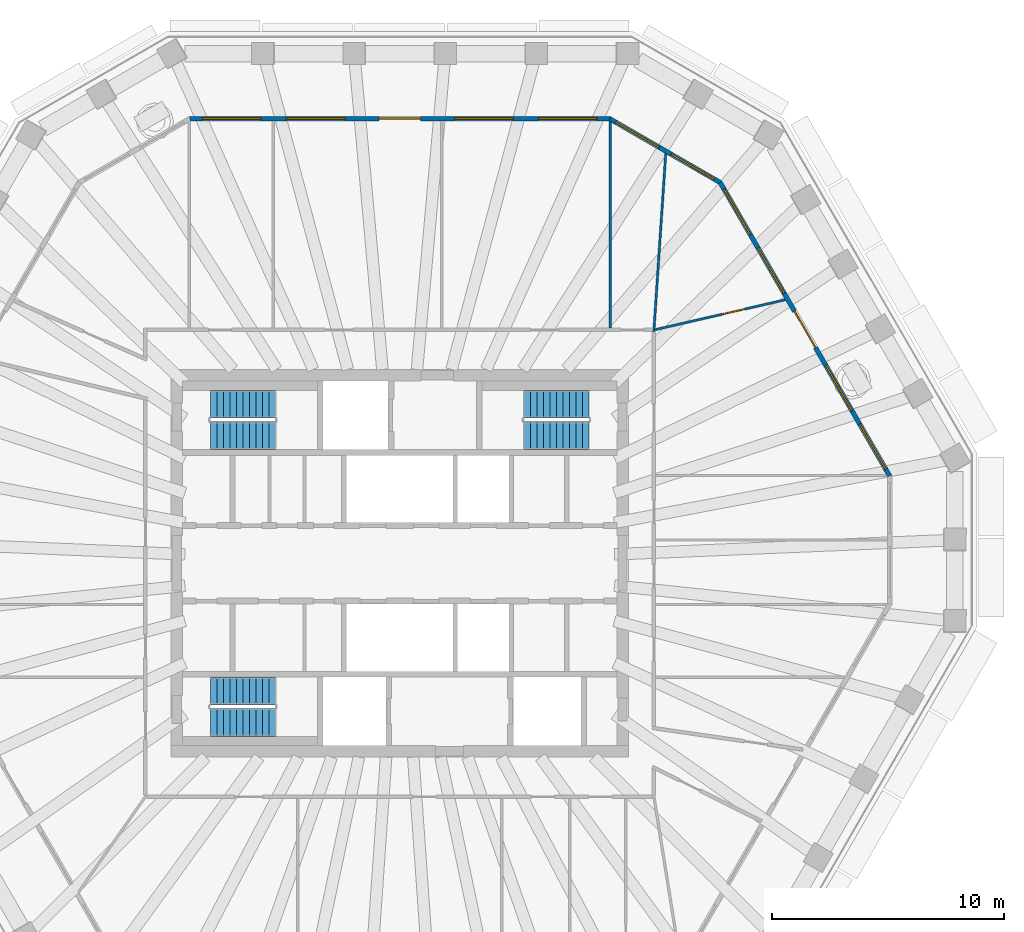
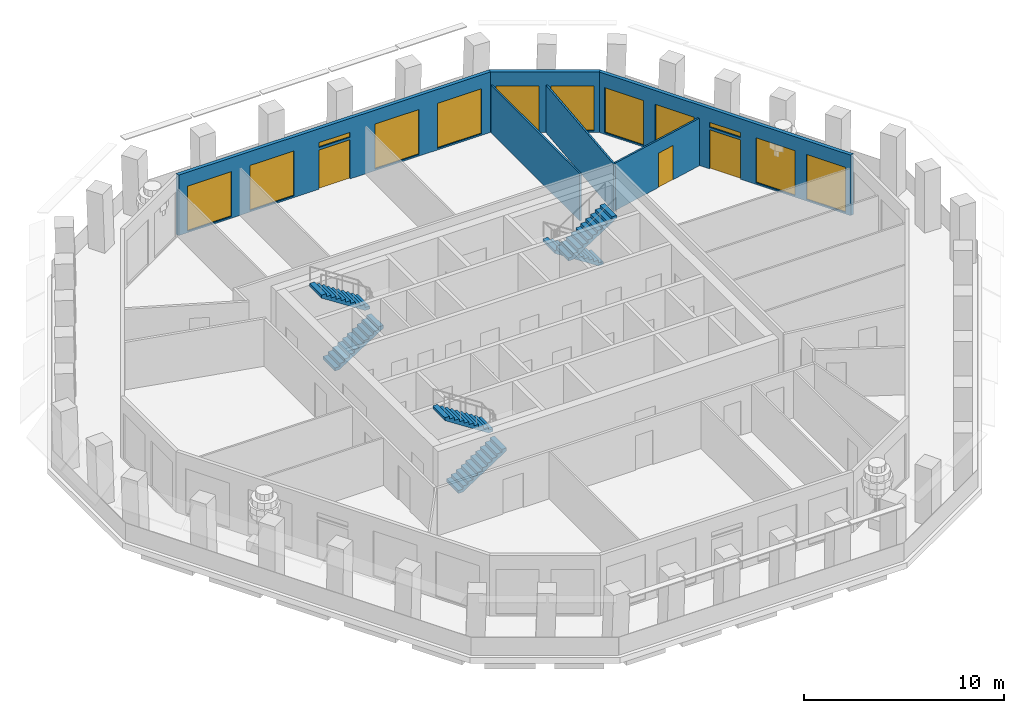
# One storey, part 7 of 11: 12 windows, 6 stair flights, 6 walls, 3 doors, 15 openings, 3 elements without a shape of their own.
"""IFC4 building model written with IfcOpenShell, lengths in metres."""

from ifc_helpers import new_model, si_unit, direction, frame, frame_2d, origin, place, context, subcontext, project, spatial, polyline, rectangle, outline, extrude, material, layer, layer_set, type_object, element, fill, aggregate, save


model = new_model("IFC4")

# Units and contexts
model_context = context("Model", 3, precision=1e-05, world=origin(), true_north=direction((0.0, 1.0)))
body_context = subcontext(model_context, "Body", "Model", "MODEL_VIEW")
ifc_project = project(units=[si_unit("LENGTHUNIT", "METRE"), si_unit("AREAUNIT", "SQUARE_METRE"), si_unit("VOLUMEUNIT", "CUBIC_METRE"), si_unit("PLANEANGLEUNIT", "RADIAN"), si_unit("MASSUNIT", "GRAM", prefix="KILO")], contexts=[model_context])

# Site, building, storey
site_placement = place(None, origin())
site = spatial("IfcSite", under=ifc_project, at=site_placement, CompositionType="ELEMENT")
building_placement = place(site_placement, origin())
building = spatial("IfcBuilding", under=site, at=building_placement, Name="Frailejon Research Tower", CompositionType="ELEMENT")
storey_placement = place(building_placement, frame((0.0, 0.0, 295.0)))
storey = spatial("IfcBuildingStorey", under=building, at=storey_placement, Name="L65", CompositionType="ELEMENT", Elevation=295.0)

# Wall, opening, door
ifc_material_1 = material(Name="Gypsum board and masonry partition", Category="masonry")
ifc_layer_1 = layer(ifc_material_1, 0.10009765625)
ifc_layer_set_1 = layer_set([ifc_layer_1], Name="Partition, gypsum on steel studs 100")
wall_type_1 = type_object("IfcWallType", Name="Partition, gypsum on steel studs 100", PredefinedType="PARTITIONING", material=ifc_layer_set_1)
wall_1_placement = place(storey_placement, frame((10.998779296875, 10.061279296875, 0.0), z_axis=(0.0, 0.0, 1.0), x_axis=(0.974601054953, 0.22394817187, 0.0)))
wall_1 = element("IfcWall", 1, at=wall_1_placement, inside=storey, type_object=wall_type_1, Name="T:IW:L65:013", PredefinedType="PARTITIONING", context=body_context, shape_type="SweptSolid", body=[
    extrude(rectangle(XDim=5.752685546875, YDim=0.10009765625, at=frame_2d((2.87646484375, 0.0))), origin(), (0.0, 0.0, 1.0), 2.89990234375),
])
opening_1_placement = place(wall_1_placement, frame((2.966796875, 0.0, 0.0)))
opening_1 = element("IfcOpeningElement", 2, at=opening_1_placement, cuts=wall_1, Name="Opening D2247", PredefinedType="OPENING", context=body_context, shape_type="SweptSolid", body=[
    extrude(rectangle(XDim=1.0, YDim=2.10009765625, at=frame_2d((0.5, 1.050048828125))), frame((0.0, 0.06005859375, 0.0), z_axis=(0.0, -1.0, 0.0), x_axis=(1.0, 0.0, 0.0)), (0.0, 0.0, 1.0), 0.1201171875),
])
ifc_material_2 = material(Name="Timber door leaf", Category="wood")
door_type_1 = type_object("IfcDoorType", Name="Door single leaf, timber, steel frame 1000", OperationType="NOTDEFINED", PredefinedType="DOOR", material=ifc_material_2)
door_1_placement = place(opening_1_placement, origin())
door_1 = element("IfcDoor", 3, at=door_1_placement, inside=storey, type_object=door_type_1, Name="D2247", OperationType="SINGLE_SWING_LEFT", OverallHeight=2.10009765625, OverallWidth=1.0, PredefinedType="DOOR", context=body_context, shape_type="SweptSolid", body=[
    extrude(rectangle(XDim=1.0, YDim=2.10009765625, at=frame_2d((0.5, 1.050048828125))), frame((0.0, 0.02490234375, 0.0), z_axis=(0.0, -1.0, 0.0), x_axis=(1.0, 0.0, 0.0)), (0.0, 0.0, 1.0), 0.050048828125),
])
fill(opening_1, door_1)

# Walls
wall_2_placement = place(storey_placement, frame((10.945068359375, 9.97509765625, 0.0), z_axis=(0.0, 0.0, 1.0), x_axis=(0.066816484189, 0.997765281737, 0.0)))
element("IfcWall", 4, at=wall_2_placement, inside=storey, type_object=wall_type_1, Name="T:IW:L65:014", PredefinedType="PARTITIONING", context=body_context, shape_type="SweptSolid", body=[
    extrude(rectangle(XDim=7.680419921875, YDim=0.10009765625, at=frame_2d((3.84033203125, 0.0))), origin(), (0.0, 0.0, 1.0), 2.89990234375),
])
wall_3_placement = place(storey_placement, frame((9.06689453125, 10.125, 0.0), z_axis=(0.0, 0.0, 1.0), x_axis=(0.0, 1.0, 0.0)))
element("IfcWall", 5, at=wall_3_placement, inside=storey, type_object=wall_type_1, Name="T:IW:L65:015", PredefinedType="PARTITIONING", context=body_context, shape_type="SweptSolid", body=[
    extrude(rectangle(XDim=8.89404296875, YDim=0.10009765625, at=frame_2d((4.447021484375, 0.0))), origin(), (0.0, 0.0, 1.0), 2.89990234375),
])

# Wall, openings, door, windows
ifc_material_3 = material(Name="Concrete C40/50 precast window wall panel", Category="concrete")
ifc_layer_2 = layer(ifc_material_3, 0.199951171875)
ifc_layer_set_2 = layer_set([ifc_layer_2], Name="Window wall 200")
wall_type_2 = type_object("IfcWallType", Name="Window wall 200", PredefinedType="SOLIDWALL", material=ifc_layer_set_2)
wall_4_placement = place(storey_placement, frame((21.1044921875, 3.75732421875, 0.0), z_axis=(0.0, 0.0, 1.0), x_axis=(-0.500006712695, 0.866021528173, 0.0)))
wall_4 = element("IfcWall", 6, at=wall_4_placement, inside=storey, type_object=wall_type_2, Name="Exterior wall L65", PredefinedType="SOLIDWALL", context=body_context, shape_type="SweptSolid", body=[
    extrude(outline(polyline([(-0.02685546875, -0.10009765625), (1.01953125, -0.10009765625), (2.06591796875, -0.10009765625), (3.112548828125, -0.10009765625), (4.158935546875, -0.10009765625), (5.205322265625, -0.10009765625), (6.251708984375, -0.10009765625), (7.29833984375, -0.10009765625), (8.3447265625, -0.10009765625), (9.39111328125, -0.10009765625), (10.4375, -0.10009765625), (11.48388671875, -0.10009765625), (12.530517578125, -0.10009765625), (13.576904296875, -0.10009765625), (14.623291015625, -0.10009765625), (14.569580078125, 0.10009765625), (13.53076171875, 0.10009765625), (12.491943359375, 0.10009765625), (11.453369140625, 0.10009765625), (10.41455078125, 0.10009765625), (9.375732421875, 0.10009765625), (8.3369140625, 0.10009765625), (7.29833984375, 0.10009765625), (6.259521484375, 0.10009765625), (5.220703125, 0.10009765625), (4.181884765625, 0.10009765625), (3.14306640625, 0.10009765625), (2.1044921875, 0.10009765625), (1.065673828125, 0.10009765625), (0.02685546875, 0.10009765625), (-0.02685546875, -0.10009765625)])), origin(), (0.0, 0.0, 1.0), 3.699951171875),
])
opening_2_placement = place(wall_4_placement, frame((0.334716796875, 0.0, 0.10009765625)))
opening_2 = element("IfcOpeningElement", 7, at=opening_2_placement, cuts=wall_4, Name="Opening W23", PredefinedType="OPENING", context=body_context, shape_type="SweptSolid", body=[
    extrude(rectangle(XDim=2.25, YDim=2.75, at=frame_2d((1.125, 1.375))), frame((0.0, 0.10986328125, 0.0), z_axis=(0.0, -1.0, 0.0), x_axis=(1.0, 0.0, 0.0)), (0.0, 0.0, 1.0), 0.219970703125),
])
opening_3_placement = place(wall_4_placement, frame((3.25390625, 0.0, 0.10009765625)))
opening_3 = element("IfcOpeningElement", 8, at=opening_3_placement, cuts=wall_4, Name="Opening W23", PredefinedType="OPENING", context=body_context, shape_type="SweptSolid", body=[
    extrude(rectangle(XDim=2.25, YDim=2.75, at=frame_2d((1.125, 1.375))), frame((0.0, 0.10986328125, 0.0), z_axis=(0.0, -1.0, 0.0), x_axis=(1.0, 0.0, 0.0)), (0.0, 0.0, 1.0), 0.219970703125),
])
opening_4_placement = place(wall_4_placement, frame((6.398193359375, 0.0, 0.0)))
opening_4 = element("IfcOpeningElement", 9, at=opening_4_placement, cuts=wall_4, Name="Opening LG65-1", PredefinedType="OPENING", context=body_context, shape_type="SweptSolid", body=[
    extrude(rectangle(XDim=1.800048828125, YDim=2.39990234375, at=frame_2d((0.89990234375, 1.199951171875))), frame((0.0, 0.10986328125, 0.0), z_axis=(0.0, -1.0, 0.0), x_axis=(1.0, 0.0, 0.0)), (0.0, 0.0, 1.0), 0.219970703125),
])
opening_5_placement = place(wall_4_placement, frame((6.398193359375, 0.0, 2.550048828125)))
opening_5 = element("IfcOpeningElement", 10, at=opening_5_placement, cuts=wall_4, Name="Opening W24", PredefinedType="OPENING", context=body_context, shape_type="SweptSolid", body=[
    extrude(rectangle(XDim=1.800048828125, YDim=0.300048828125, at=frame_2d((0.89990234375, 0.14990234375))), frame((0.0, 0.10986328125, 0.0), z_axis=(0.0, -1.0, 0.0), x_axis=(1.0, 0.0, 0.0)), (0.0, 0.0, 1.0), 0.219970703125),
])
opening_6_placement = place(wall_4_placement, frame((9.092529296875, 0.0, 0.10009765625)))
opening_6 = element("IfcOpeningElement", 11, at=opening_6_placement, cuts=wall_4, Name="Opening W23", PredefinedType="OPENING", context=body_context, shape_type="SweptSolid", body=[
    extrude(rectangle(XDim=2.25, YDim=2.75, at=frame_2d((1.125, 1.375))), frame((0.0, 0.10986328125, 0.0), z_axis=(0.0, -1.0, 0.0), x_axis=(1.0, 0.0, 0.0)), (0.0, 0.0, 1.0), 0.219970703125),
])
opening_7_placement = place(wall_4_placement, frame((12.011962890625, 0.0, 0.10009765625)))
opening_7 = element("IfcOpeningElement", 12, at=opening_7_placement, cuts=wall_4, Name="Opening W23", PredefinedType="OPENING", context=body_context, shape_type="SweptSolid", body=[
    extrude(rectangle(XDim=2.25, YDim=2.75, at=frame_2d((1.125, 1.375))), frame((0.0, 0.10986328125, 0.0), z_axis=(0.0, -1.0, 0.0), x_axis=(1.0, 0.0, 0.0)), (0.0, 0.0, 1.0), 0.219970703125),
])
ifc_material_4 = material(Name="Aluminium framed glazed door leaf", Category="aluminium")
door_type_2 = type_object("IfcDoorType", Name="Loggia door 1800x2400", OperationType="DOUBLE_DOOR_SINGLE_SWING", PredefinedType="DOOR", material=ifc_material_4)
door_2_placement = place(opening_4_placement, origin())
door_2 = element("IfcDoor", 13, at=door_2_placement, inside=storey, type_object=door_type_2, Name="Door LG65-1", OperationType="DOUBLE_DOOR_SINGLE_SWING", OverallHeight=2.39990234375, OverallWidth=1.800048828125, PredefinedType="DOOR", context=body_context, shape_type="SweptSolid", body=[
    extrude(rectangle(XDim=1.800048828125, YDim=2.39990234375, at=frame_2d((0.89990234375, 1.199951171875))), frame((0.0, 0.02490234375, 0.0), z_axis=(0.0, -1.0, 0.0), x_axis=(1.0, 0.0, 0.0)), (0.0, 0.0, 1.0), 0.050048828125),
])
fill(opening_4, door_2)
ifc_material_5 = material(Name="Aluminium framed double glazing", Category="aluminium")
window_type_1 = type_object("IfcWindowType", Name="Window 1800x300", PartitioningType="SINGLE_PANEL", PredefinedType="WINDOW", material=ifc_material_5)
window_1_placement = place(opening_5_placement, origin())
window_1 = element("IfcWindow", 14, at=window_1_placement, inside=storey, type_object=window_type_1, Name="Window L65", OverallHeight=0.300048828125, OverallWidth=1.800048828125, PartitioningType="SINGLE_PANEL", PredefinedType="WINDOW", context=body_context, shape_type="SweptSolid", body=[
    extrude(rectangle(XDim=1.800048828125, YDim=0.300048828125, at=frame_2d((0.89990234375, 0.14990234375))), frame((0.0, 0.030029296875, 0.0), z_axis=(0.0, -1.0, 0.0), x_axis=(1.0, 0.0, 0.0)), (0.0, 0.0, 1.0), 0.06005859375),
])
fill(opening_5, window_1)
ifc_material_6 = material(Name="Aluminium framed double glazing", Category="aluminium")
window_type_2 = type_object("IfcWindowType", Name="Window 2250x2750", PartitioningType="SINGLE_PANEL", PredefinedType="WINDOW", material=ifc_material_6)
window_2_placement = place(opening_2_placement, origin())
window_2 = element("IfcWindow", 15, at=window_2_placement, inside=storey, type_object=window_type_2, Name="Window L65", OverallHeight=2.75, OverallWidth=2.25, PartitioningType="SINGLE_PANEL", PredefinedType="WINDOW", context=body_context, shape_type="SweptSolid", body=[
    extrude(rectangle(XDim=2.25, YDim=2.75, at=frame_2d((1.125, 1.375))), frame((0.0, 0.030029296875, 0.0), z_axis=(0.0, -1.0, 0.0), x_axis=(1.0, 0.0, 0.0)), (0.0, 0.0, 1.0), 0.06005859375),
])
fill(opening_2, window_2)
window_3_placement = place(opening_3_placement, origin())
window_3 = element("IfcWindow", 16, at=window_3_placement, inside=storey, type_object=window_type_2, Name="Window L65", OverallHeight=2.75, OverallWidth=2.25, PartitioningType="SINGLE_PANEL", PredefinedType="WINDOW", context=body_context, shape_type="SweptSolid", body=[
    extrude(rectangle(XDim=2.25, YDim=2.75, at=frame_2d((1.125, 1.375))), frame((0.0, 0.030029296875, 0.0), z_axis=(0.0, -1.0, 0.0), x_axis=(1.0, 0.0, 0.0)), (0.0, 0.0, 1.0), 0.06005859375),
])
fill(opening_3, window_3)
window_4_placement = place(opening_6_placement, origin())
window_4 = element("IfcWindow", 17, at=window_4_placement, inside=storey, type_object=window_type_2, Name="Window L65", OverallHeight=2.75, OverallWidth=2.25, PartitioningType="SINGLE_PANEL", PredefinedType="WINDOW", context=body_context, shape_type="SweptSolid", body=[
    extrude(rectangle(XDim=2.25, YDim=2.75, at=frame_2d((1.125, 1.375))), frame((0.0, 0.030029296875, 0.0), z_axis=(0.0, -1.0, 0.0), x_axis=(1.0, 0.0, 0.0)), (0.0, 0.0, 1.0), 0.06005859375),
])
fill(opening_6, window_4)
window_5_placement = place(opening_7_placement, origin())
window_5 = element("IfcWindow", 18, at=window_5_placement, inside=storey, type_object=window_type_2, Name="Window L65", OverallHeight=2.75, OverallWidth=2.25, PartitioningType="SINGLE_PANEL", PredefinedType="WINDOW", context=body_context, shape_type="SweptSolid", body=[
    extrude(rectangle(XDim=2.25, YDim=2.75, at=frame_2d((1.125, 1.375))), frame((0.0, 0.030029296875, 0.0), z_axis=(0.0, -1.0, 0.0), x_axis=(1.0, 0.0, 0.0)), (0.0, 0.0, 1.0), 0.06005859375),
])
fill(opening_7, window_5)

# Wall, openings, windows
wall_5_placement = place(storey_placement, frame((13.80615234375, 16.398193359375, 0.0), z_axis=(0.0, 0.0, 1.0), x_axis=(-0.866026017613, 0.499998936816, 0.0)))
wall_5 = element("IfcWall", 19, at=wall_5_placement, inside=storey, type_object=wall_type_2, Name="Exterior wall L65", PredefinedType="SOLIDWALL", context=body_context, shape_type="SweptSolid", body=[
    extrude(outline(polyline([(-0.02685546875, -0.10009765625), (1.08447265625, -0.10009765625), (2.196044921875, -0.10009765625), (3.307373046875, -0.10009765625), (4.4189453125, -0.10009765625), (5.5302734375, -0.10009765625), (5.4765625, 0.10009765625), (4.38671875, 0.10009765625), (3.296630859375, 0.10009765625), (2.206787109375, 0.10009765625), (1.11669921875, 0.10009765625), (0.02685546875, 0.10009765625), (-0.02685546875, -0.10009765625)])), origin(), (0.0, 0.0, 1.0), 3.699951171875),
])
opening_8_placement = place(wall_5_placement, frame((0.30078125, 0.0, 0.10009765625)))
opening_8 = element("IfcOpeningElement", 20, at=opening_8_placement, cuts=wall_5, Name="Opening W22", PredefinedType="OPENING", context=body_context, shape_type="SweptSolid", body=[
    extrude(rectangle(XDim=2.14990234375, YDim=2.75, at=frame_2d((1.074951171875, 1.375))), frame((0.0, 0.10986328125, 0.0), z_axis=(0.0, -1.0, 0.0), x_axis=(1.0, 0.0, 0.0)), (0.0, 0.0, 1.0), 0.219970703125),
])
opening_9_placement = place(wall_5_placement, frame((3.052490234375, 0.0, 0.10009765625)))
opening_9 = element("IfcOpeningElement", 21, at=opening_9_placement, cuts=wall_5, Name="Opening W22", PredefinedType="OPENING", context=body_context, shape_type="SweptSolid", body=[
    extrude(rectangle(XDim=2.14990234375, YDim=2.75, at=frame_2d((1.074951171875, 1.375))), frame((0.0, 0.10986328125, 0.0), z_axis=(0.0, -1.0, 0.0), x_axis=(1.0, 0.0, 0.0)), (0.0, 0.0, 1.0), 0.219970703125),
])
ifc_material_7 = material(Name="Aluminium framed double glazing", Category="aluminium")
window_type_3 = type_object("IfcWindowType", Name="Window 2150x2750", PartitioningType="SINGLE_PANEL", PredefinedType="WINDOW", material=ifc_material_7)
window_6_placement = place(opening_8_placement, origin())
window_6 = element("IfcWindow", 22, at=window_6_placement, inside=storey, type_object=window_type_3, Name="Window L65", OverallHeight=2.75, OverallWidth=2.14990234375, PartitioningType="SINGLE_PANEL", PredefinedType="WINDOW", context=body_context, shape_type="SweptSolid", body=[
    extrude(rectangle(XDim=2.14990234375, YDim=2.75, at=frame_2d((1.074951171875, 1.375))), frame((0.0, 0.030029296875, 0.0), z_axis=(0.0, -1.0, 0.0), x_axis=(1.0, 0.0, 0.0)), (0.0, 0.0, 1.0), 0.06005859375),
])
fill(opening_8, window_6)
window_7_placement = place(opening_9_placement, origin())
window_7 = element("IfcWindow", 23, at=window_7_placement, inside=storey, type_object=window_type_3, Name="Window L65", OverallHeight=2.75, OverallWidth=2.14990234375, PartitioningType="SINGLE_PANEL", PredefinedType="WINDOW", context=body_context, shape_type="SweptSolid", body=[
    extrude(rectangle(XDim=2.14990234375, YDim=2.75, at=frame_2d((1.074951171875, 1.375))), frame((0.0, 0.030029296875, 0.0), z_axis=(0.0, -1.0, 0.0), x_axis=(1.0, 0.0, 0.0)), (0.0, 0.0, 1.0), 0.06005859375),
])
fill(opening_9, window_7)

# Wall, openings, door, windows
wall_6_placement = place(storey_placement, frame((9.0400390625, 19.14990234375, 0.0), z_axis=(0.0, 0.0, 1.0), x_axis=(-1.0, 0.0, 0.0)))
wall_6 = element("IfcWall", 24, at=wall_6_placement, inside=storey, type_object=wall_type_2, Name="Exterior wall L65", PredefinedType="SOLIDWALL", context=body_context, shape_type="SweptSolid", body=[
    extrude(outline(polyline([(-0.02685546875, -0.10009765625), (0.98046875, -0.10009765625), (1.988037109375, -0.10009765625), (2.995361328125, -0.10009765625), (4.0029296875, -0.10009765625), (5.01025390625, -0.10009765625), (6.017822265625, -0.10009765625), (7.025146484375, -0.10009765625), (8.03271484375, -0.10009765625), (9.0400390625, -0.10009765625), (10.04736328125, -0.10009765625), (11.054931640625, -0.10009765625), (12.062255859375, -0.10009765625), (13.06982421875, -0.10009765625), (14.0771484375, -0.10009765625), (15.084716796875, -0.10009765625), (16.092041015625, -0.10009765625), (17.099609375, -0.10009765625), (18.10693359375, -0.10009765625), (18.05322265625, 0.10009765625), (17.0517578125, 0.10009765625), (16.05029296875, 0.10009765625), (15.048828125, 0.10009765625), (14.04736328125, 0.10009765625), (13.0458984375, 0.10009765625), (12.04443359375, 0.10009765625), (11.04296875, 0.10009765625), (10.04150390625, 0.10009765625), (9.0400390625, 0.10009765625), (8.03857421875, 0.10009765625), (7.037109375, 0.10009765625), (6.03564453125, 0.10009765625), (5.0341796875, 0.10009765625), (4.03271484375, 0.10009765625), (3.03125, 0.10009765625), (2.02978515625, 0.10009765625), (1.0283203125, 0.10009765625), (0.02685546875, 0.10009765625), (-0.02685546875, -0.10009765625)])), origin(), (0.0, 0.0, 1.0), 3.699951171875),
])
opening_10_placement = place(wall_6_placement, frame((0.532958984375, 0.0, 0.10009765625)))
opening_10 = element("IfcOpeningElement", 25, at=opening_10_placement, cuts=wall_6, Name="Opening W25", PredefinedType="OPENING", context=body_context, shape_type="SweptSolid", body=[
    extrude(rectangle(XDim=2.550048828125, YDim=2.75, at=frame_2d((1.27490234375, 1.375))), frame((0.0, 0.10986328125, 0.0), z_axis=(0.0, -1.0, 0.0), x_axis=(1.0, 0.0, 0.0)), (0.0, 0.0, 1.0), 0.219970703125),
])
opening_11_placement = place(wall_6_placement, frame((4.14892578125, 0.0, 0.10009765625)))
opening_11 = element("IfcOpeningElement", 26, at=opening_11_placement, cuts=wall_6, Name="Opening W25", PredefinedType="OPENING", context=body_context, shape_type="SweptSolid", body=[
    extrude(rectangle(XDim=2.550048828125, YDim=2.75, at=frame_2d((1.27490234375, 1.375))), frame((0.0, 0.10986328125, 0.0), z_axis=(0.0, -1.0, 0.0), x_axis=(1.0, 0.0, 0.0)), (0.0, 0.0, 1.0), 0.219970703125),
])
opening_12_placement = place(wall_6_placement, frame((8.14013671875, 0.0, 0.0)))
opening_12 = element("IfcOpeningElement", 27, at=opening_12_placement, cuts=wall_6, Name="Opening LG65-2", PredefinedType="OPENING", context=body_context, shape_type="SweptSolid", body=[
    extrude(rectangle(XDim=1.800048828125, YDim=2.39990234375, at=frame_2d((0.89990234375, 1.199951171875))), frame((0.0, 0.10986328125, 0.0), z_axis=(0.0, -1.0, 0.0), x_axis=(1.0, 0.0, 0.0)), (0.0, 0.0, 1.0), 0.219970703125),
])
opening_13_placement = place(wall_6_placement, frame((8.14013671875, 0.0, 2.550048828125)))
opening_13 = element("IfcOpeningElement", 28, at=opening_13_placement, cuts=wall_6, Name="Opening W24", PredefinedType="OPENING", context=body_context, shape_type="SweptSolid", body=[
    extrude(rectangle(XDim=1.800048828125, YDim=0.300048828125, at=frame_2d((0.89990234375, 0.14990234375))), frame((0.0, 0.10986328125, 0.0), z_axis=(0.0, -1.0, 0.0), x_axis=(1.0, 0.0, 0.0)), (0.0, 0.0, 1.0), 0.219970703125),
])
opening_14_placement = place(wall_6_placement, frame((11.381103515625, 0.0, 0.10009765625)))
opening_14 = element("IfcOpeningElement", 29, at=opening_14_placement, cuts=wall_6, Name="Opening W25", PredefinedType="OPENING", context=body_context, shape_type="SweptSolid", body=[
    extrude(rectangle(XDim=2.550048828125, YDim=2.75, at=frame_2d((1.27490234375, 1.375))), frame((0.0, 0.10986328125, 0.0), z_axis=(0.0, -1.0, 0.0), x_axis=(1.0, 0.0, 0.0)), (0.0, 0.0, 1.0), 0.219970703125),
])
opening_15_placement = place(wall_6_placement, frame((14.9970703125, 0.0, 0.10009765625)))
opening_15 = element("IfcOpeningElement", 30, at=opening_15_placement, cuts=wall_6, Name="Opening W25", PredefinedType="OPENING", context=body_context, shape_type="SweptSolid", body=[
    extrude(rectangle(XDim=2.550048828125, YDim=2.75, at=frame_2d((1.27490234375, 1.375))), frame((0.0, 0.10986328125, 0.0), z_axis=(0.0, -1.0, 0.0), x_axis=(1.0, 0.0, 0.0)), (0.0, 0.0, 1.0), 0.219970703125),
])
door_3_placement = place(opening_12_placement, origin())
door_3 = element("IfcDoor", 31, at=door_3_placement, inside=storey, type_object=door_type_2, Name="Door LG65-2", OperationType="DOUBLE_DOOR_SINGLE_SWING", OverallHeight=2.39990234375, OverallWidth=1.800048828125, PredefinedType="DOOR", context=body_context, shape_type="SweptSolid", body=[
    extrude(rectangle(XDim=1.800048828125, YDim=2.39990234375, at=frame_2d((0.89990234375, 1.199951171875))), frame((0.0, 0.02490234375, 0.0), z_axis=(0.0, -1.0, 0.0), x_axis=(1.0, 0.0, 0.0)), (0.0, 0.0, 1.0), 0.050048828125),
])
fill(opening_12, door_3)
window_8_placement = place(opening_13_placement, origin())
window_8 = element("IfcWindow", 32, at=window_8_placement, inside=storey, type_object=window_type_1, Name="Window L65", OverallHeight=0.300048828125, OverallWidth=1.800048828125, PartitioningType="SINGLE_PANEL", PredefinedType="WINDOW", context=body_context, shape_type="SweptSolid", body=[
    extrude(rectangle(XDim=1.800048828125, YDim=0.300048828125, at=frame_2d((0.89990234375, 0.14990234375))), frame((0.0, 0.030029296875, 0.0), z_axis=(0.0, -1.0, 0.0), x_axis=(1.0, 0.0, 0.0)), (0.0, 0.0, 1.0), 0.06005859375),
])
fill(opening_13, window_8)
ifc_material_8 = material(Name="Aluminium framed double glazing", Category="aluminium")
window_type_4 = type_object("IfcWindowType", Name="Window 2550x2750", PartitioningType="SINGLE_PANEL", PredefinedType="WINDOW", material=ifc_material_8)
window_9_placement = place(opening_10_placement, origin())
window_9 = element("IfcWindow", 33, at=window_9_placement, inside=storey, type_object=window_type_4, Name="Window L65", OverallHeight=2.75, OverallWidth=2.550048828125, PartitioningType="SINGLE_PANEL", PredefinedType="WINDOW", context=body_context, shape_type="SweptSolid", body=[
    extrude(rectangle(XDim=2.550048828125, YDim=2.75, at=frame_2d((1.27490234375, 1.375))), frame((0.0, 0.030029296875, 0.0), z_axis=(0.0, -1.0, 0.0), x_axis=(1.0, 0.0, 0.0)), (0.0, 0.0, 1.0), 0.06005859375),
])
fill(opening_10, window_9)
window_10_placement = place(opening_11_placement, origin())
window_10 = element("IfcWindow", 34, at=window_10_placement, inside=storey, type_object=window_type_4, Name="Window L65", OverallHeight=2.75, OverallWidth=2.550048828125, PartitioningType="SINGLE_PANEL", PredefinedType="WINDOW", context=body_context, shape_type="SweptSolid", body=[
    extrude(rectangle(XDim=2.550048828125, YDim=2.75, at=frame_2d((1.27490234375, 1.375))), frame((0.0, 0.030029296875, 0.0), z_axis=(0.0, -1.0, 0.0), x_axis=(1.0, 0.0, 0.0)), (0.0, 0.0, 1.0), 0.06005859375),
])
fill(opening_11, window_10)
window_11_placement = place(opening_14_placement, origin())
window_11 = element("IfcWindow", 35, at=window_11_placement, inside=storey, type_object=window_type_4, Name="Window L65", OverallHeight=2.75, OverallWidth=2.550048828125, PartitioningType="SINGLE_PANEL", PredefinedType="WINDOW", context=body_context, shape_type="SweptSolid", body=[
    extrude(rectangle(XDim=2.550048828125, YDim=2.75, at=frame_2d((1.27490234375, 1.375))), frame((0.0, 0.030029296875, 0.0), z_axis=(0.0, -1.0, 0.0), x_axis=(1.0, 0.0, 0.0)), (0.0, 0.0, 1.0), 0.06005859375),
])
fill(opening_14, window_11)
window_12_placement = place(opening_15_placement, origin())
window_12 = element("IfcWindow", 36, at=window_12_placement, inside=storey, type_object=window_type_4, Name="Window L65", OverallHeight=2.75, OverallWidth=2.550048828125, PartitioningType="SINGLE_PANEL", PredefinedType="WINDOW", context=body_context, shape_type="SweptSolid", body=[
    extrude(rectangle(XDim=2.550048828125, YDim=2.75, at=frame_2d((1.27490234375, 1.375))), frame((0.0, 0.030029296875, 0.0), z_axis=(0.0, -1.0, 0.0), x_axis=(1.0, 0.0, 0.0)), (0.0, 0.0, 1.0), 0.06005859375),
])
fill(opening_15, window_12)

# Stair, stair flights
ifc_material_9 = material(Name="Concrete C50/60", Category="concrete")
stair_type = type_object("IfcStairType", Name="Exit stair 22 risers", PredefinedType="HALF_TURN_STAIR", material=ifc_material_9)
stair_1_placement = place(storey_placement, origin())
stair_1 = element("IfcStair", 37, at=stair_1_placement, inside=storey, type_object=stair_type, Name="L65 Exit stair ST1", PredefinedType="HALF_TURN_STAIR")
ifc_material_10 = material(Name="Concrete C50/60", Category="concrete")
ifc_layer_3 = layer(ifc_material_10, 0.14990234375)
ifc_layer_set_3 = layer_set([ifc_layer_3], Name="Stair flight 11 risers")
stair_flight_type = type_object("IfcStairFlightType", Name="Stair flight 11 risers", PredefinedType="STRAIGHT", material=ifc_layer_set_3)
stair_flight_1_placement = place(storey_placement, frame((-8.14990234375, 5.5, 0.0), z_axis=(0.0, 0.0, 1.0), x_axis=(1.0, 0.0, 0.0)))
stair_flight_1 = element("IfcStairFlight", 38, at=stair_flight_1_placement, type_object=stair_flight_type, Name="ST1 flight 1", NumberOfRisers=11, NumberOfTreads=10, PredefinedType="STRAIGHT", RiserHeight=0.181818182, TreadLength=0.28, context=body_context, shape_type="SweptSolid", body=[
    extrude(outline(polyline([(0.0, 0.0), (0.0, 0.181884765625), (0.280029296875, 0.181884765625), (0.280029296875, 0.363525390625), (0.56005859375, 0.363525390625), (0.56005859375, 0.54541015625), (0.840087890625, 0.54541015625), (0.840087890625, 0.727294921875), (1.1201171875, 0.727294921875), (1.1201171875, 0.9091796875), (1.39990234375, 0.9091796875), (1.39990234375, 1.0908203125), (1.679931640625, 1.0908203125), (1.679931640625, 1.272705078125), (1.9599609375, 1.272705078125), (1.9599609375, 1.45458984375), (2.239990234375, 1.45458984375), (2.239990234375, 1.636474609375), (2.52001953125, 1.636474609375), (2.52001953125, 1.818115234375), (2.800048828125, 1.818115234375), (2.800048828125, 2.0), (2.800048828125, 1.639404296875), (0.275146484375, 0.0), (0.0, 0.0)])), frame((0.0, 0.60009765625, 0.0), z_axis=(0.0, -1.0, 0.0), x_axis=(1.0, 0.0, 0.0)), (0.0, 0.0, 1.0), 1.199951171875),
])
stair_flight_2_placement = place(storey_placement, frame((-5.35009765625, 6.85009765625, 2.0), z_axis=(0.0, 0.0, 1.0), x_axis=(-1.0, 0.0, 0.0)))
stair_flight_2 = element("IfcStairFlight", 39, at=stair_flight_2_placement, type_object=stair_flight_type, Name="ST1 flight 2", NumberOfRisers=11, NumberOfTreads=10, PredefinedType="STRAIGHT", RiserHeight=0.181818182, TreadLength=0.28, context=body_context, shape_type="SweptSolid", body=[
    extrude(outline(polyline([(0.0, 0.0), (0.0, 0.181884765625), (0.280029296875, 0.181884765625), (0.280029296875, 0.363525390625), (0.56005859375, 0.363525390625), (0.56005859375, 0.54541015625), (0.840087890625, 0.54541015625), (0.840087890625, 0.727294921875), (1.1201171875, 0.727294921875), (1.1201171875, 0.9091796875), (1.39990234375, 0.9091796875), (1.39990234375, 1.0908203125), (1.679931640625, 1.0908203125), (1.679931640625, 1.272705078125), (1.9599609375, 1.272705078125), (1.9599609375, 1.45458984375), (2.239990234375, 1.45458984375), (2.239990234375, 1.636474609375), (2.52001953125, 1.636474609375), (2.52001953125, 1.818115234375), (2.800048828125, 1.818115234375), (2.800048828125, 2.0), (2.800048828125, 1.639404296875), (0.275146484375, 0.0), (0.0, 0.0)])), frame((0.0, 0.60009765625, 0.0), z_axis=(0.0, -1.0, 0.0), x_axis=(1.0, 0.0, 0.0)), (0.0, 0.0, 1.0), 1.199951171875),
])
aggregate(stair_1, [stair_flight_1, stair_flight_2])

stair_2_placement = place(storey_placement, origin())
stair_2 = element("IfcStair", 40, at=stair_2_placement, inside=storey, type_object=stair_type, Name="L65 Exit stair ST2", PredefinedType="HALF_TURN_STAIR")
stair_flight_3_placement = place(storey_placement, frame((-8.14990234375, -6.85009765625, 0.0), z_axis=(0.0, 0.0, 1.0), x_axis=(1.0, 0.0, 0.0)))
stair_flight_3 = element("IfcStairFlight", 41, at=stair_flight_3_placement, type_object=stair_flight_type, Name="ST2 flight 1", NumberOfRisers=11, NumberOfTreads=10, PredefinedType="STRAIGHT", RiserHeight=0.181818182, TreadLength=0.28, context=body_context, shape_type="SweptSolid", body=[
    extrude(outline(polyline([(0.0, 0.0), (0.0, 0.181884765625), (0.280029296875, 0.181884765625), (0.280029296875, 0.363525390625), (0.56005859375, 0.363525390625), (0.56005859375, 0.54541015625), (0.840087890625, 0.54541015625), (0.840087890625, 0.727294921875), (1.1201171875, 0.727294921875), (1.1201171875, 0.9091796875), (1.39990234375, 0.9091796875), (1.39990234375, 1.0908203125), (1.679931640625, 1.0908203125), (1.679931640625, 1.272705078125), (1.9599609375, 1.272705078125), (1.9599609375, 1.45458984375), (2.239990234375, 1.45458984375), (2.239990234375, 1.636474609375), (2.52001953125, 1.636474609375), (2.52001953125, 1.818115234375), (2.800048828125, 1.818115234375), (2.800048828125, 2.0), (2.800048828125, 1.639404296875), (0.275146484375, 0.0), (0.0, 0.0)])), frame((0.0, 0.60009765625, 0.0), z_axis=(0.0, -1.0, 0.0), x_axis=(1.0, 0.0, 0.0)), (0.0, 0.0, 1.0), 1.199951171875),
])
stair_flight_4_placement = place(storey_placement, frame((-5.35009765625, -5.5, 2.0), z_axis=(0.0, 0.0, 1.0), x_axis=(-1.0, 0.0, 0.0)))
stair_flight_4 = element("IfcStairFlight", 42, at=stair_flight_4_placement, type_object=stair_flight_type, Name="ST2 flight 2", NumberOfRisers=11, NumberOfTreads=10, PredefinedType="STRAIGHT", RiserHeight=0.181818182, TreadLength=0.28, context=body_context, shape_type="SweptSolid", body=[
    extrude(outline(polyline([(0.0, 0.0), (0.0, 0.181884765625), (0.280029296875, 0.181884765625), (0.280029296875, 0.363525390625), (0.56005859375, 0.363525390625), (0.56005859375, 0.54541015625), (0.840087890625, 0.54541015625), (0.840087890625, 0.727294921875), (1.1201171875, 0.727294921875), (1.1201171875, 0.9091796875), (1.39990234375, 0.9091796875), (1.39990234375, 1.0908203125), (1.679931640625, 1.0908203125), (1.679931640625, 1.272705078125), (1.9599609375, 1.272705078125), (1.9599609375, 1.45458984375), (2.239990234375, 1.45458984375), (2.239990234375, 1.636474609375), (2.52001953125, 1.636474609375), (2.52001953125, 1.818115234375), (2.800048828125, 1.818115234375), (2.800048828125, 2.0), (2.800048828125, 1.639404296875), (0.275146484375, 0.0), (0.0, 0.0)])), frame((0.0, 0.60009765625, 0.0), z_axis=(0.0, -1.0, 0.0), x_axis=(1.0, 0.0, 0.0)), (0.0, 0.0, 1.0), 1.199951171875),
])
aggregate(stair_2, [stair_flight_3, stair_flight_4])

stair_3_placement = place(storey_placement, origin())
stair_3 = element("IfcStair", 43, at=stair_3_placement, inside=storey, type_object=stair_type, Name="L65 Exit stair ST3", PredefinedType="HALF_TURN_STAIR")
stair_flight_5_placement = place(storey_placement, frame((8.14990234375, 6.85009765625, 0.0), z_axis=(0.0, 0.0, 1.0), x_axis=(-1.0, 0.0, 0.0)))
stair_flight_5 = element("IfcStairFlight", 44, at=stair_flight_5_placement, type_object=stair_flight_type, Name="ST3 flight 1", NumberOfRisers=11, NumberOfTreads=10, PredefinedType="STRAIGHT", RiserHeight=0.181818182, TreadLength=0.28, context=body_context, shape_type="SweptSolid", body=[
    extrude(outline(polyline([(0.0, 0.0), (0.0, 0.181884765625), (0.280029296875, 0.181884765625), (0.280029296875, 0.363525390625), (0.56005859375, 0.363525390625), (0.56005859375, 0.54541015625), (0.840087890625, 0.54541015625), (0.840087890625, 0.727294921875), (1.1201171875, 0.727294921875), (1.1201171875, 0.9091796875), (1.39990234375, 0.9091796875), (1.39990234375, 1.0908203125), (1.679931640625, 1.0908203125), (1.679931640625, 1.272705078125), (1.9599609375, 1.272705078125), (1.9599609375, 1.45458984375), (2.239990234375, 1.45458984375), (2.239990234375, 1.636474609375), (2.52001953125, 1.636474609375), (2.52001953125, 1.818115234375), (2.800048828125, 1.818115234375), (2.800048828125, 2.0), (2.800048828125, 1.639404296875), (0.275146484375, 0.0), (0.0, 0.0)])), frame((0.0, 0.60009765625, 0.0), z_axis=(0.0, -1.0, 0.0), x_axis=(1.0, 0.0, 0.0)), (0.0, 0.0, 1.0), 1.199951171875),
])
stair_flight_6_placement = place(storey_placement, frame((5.35009765625, 5.5, 2.0), z_axis=(0.0, 0.0, 1.0), x_axis=(1.0, 0.0, 0.0)))
stair_flight_6 = element("IfcStairFlight", 45, at=stair_flight_6_placement, type_object=stair_flight_type, Name="ST3 flight 2", NumberOfRisers=11, NumberOfTreads=10, PredefinedType="STRAIGHT", RiserHeight=0.181818182, TreadLength=0.28, context=body_context, shape_type="SweptSolid", body=[
    extrude(outline(polyline([(0.0, 0.0), (0.0, 0.181884765625), (0.280029296875, 0.181884765625), (0.280029296875, 0.363525390625), (0.56005859375, 0.363525390625), (0.56005859375, 0.54541015625), (0.840087890625, 0.54541015625), (0.840087890625, 0.727294921875), (1.1201171875, 0.727294921875), (1.1201171875, 0.9091796875), (1.39990234375, 0.9091796875), (1.39990234375, 1.0908203125), (1.679931640625, 1.0908203125), (1.679931640625, 1.272705078125), (1.9599609375, 1.272705078125), (1.9599609375, 1.45458984375), (2.239990234375, 1.45458984375), (2.239990234375, 1.636474609375), (2.52001953125, 1.636474609375), (2.52001953125, 1.818115234375), (2.800048828125, 1.818115234375), (2.800048828125, 2.0), (2.800048828125, 1.639404296875), (0.275146484375, 0.0), (0.0, 0.0)])), frame((0.0, 0.60009765625, 0.0), z_axis=(0.0, -1.0, 0.0), x_axis=(1.0, 0.0, 0.0)), (0.0, 0.0, 1.0), 1.199951171875),
])
aggregate(stair_3, [stair_flight_5, stair_flight_6])

save(model, "model.ifc")
